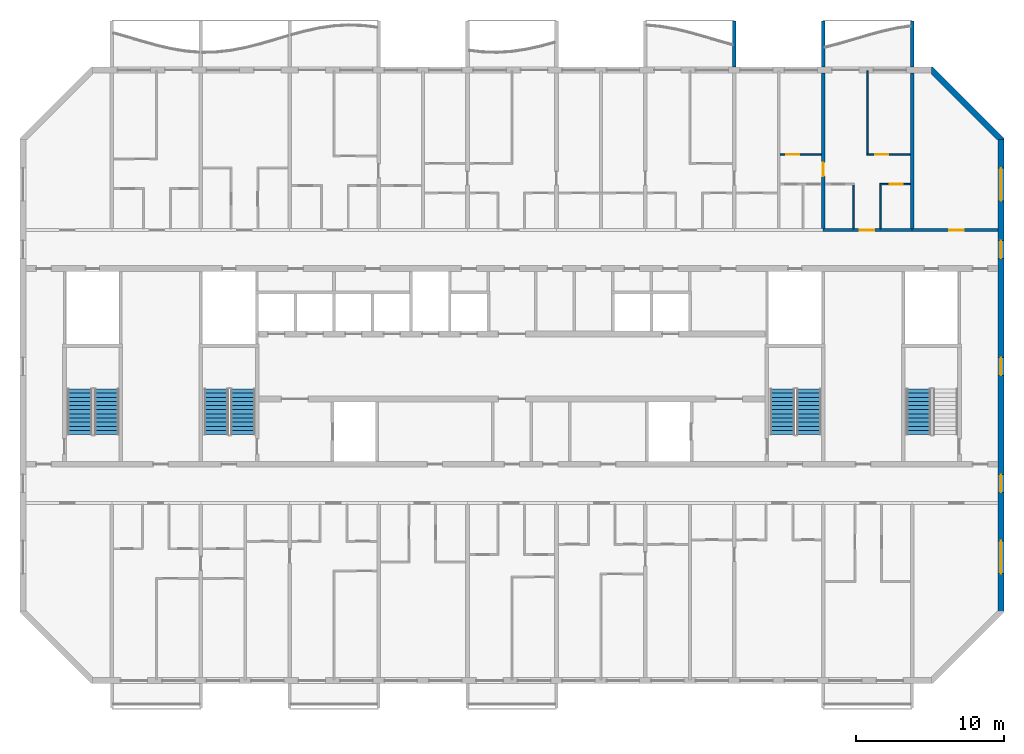
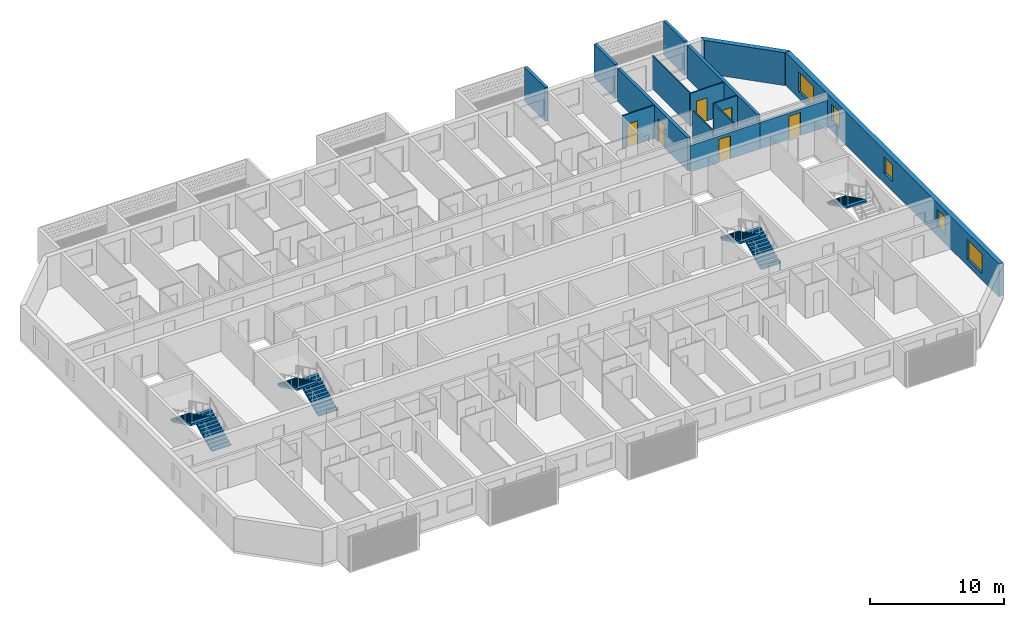
# One storey, part 11 of 27: 15 walls, 7 stair flights, 6 doors, 5 windows, 11 openings, 4 elements without a shape of their own.
"""IFC4 building model written with IfcOpenShell, lengths in metres."""

import ifcopenshell
import ifcopenshell.guid

model = None  # the IFC model being written
_history = None  # IfcOwnerHistory: only IFC2X3 demands one
_inside = {}  # id of a spatial element -> (the spatial element, [elements in it])
_under = {}  # id of a project, library or spatial element -> (it, [spatial elements below it])
_declared = {}  # id of a project -> (the project, [libraries it declares])
_typed = {}  # id of a type object -> (the type object, [elements of that type])
_made_of = {}  # id of a material, layer set ... -> (it, [elements and type objects made of it])


def new_model(schema):
    """Start an empty IFC model of exactly this schema.

    Asked for "IFC4X3", IfcOpenShell would pick the latest addendum, in which some entities
    have other attributes; the version numbers below select the first issue.
    IFC2X3 requires an IfcOwnerHistory on every rooted entity: one is made here for all.
    """
    global model, _history
    if schema == "IFC4X3":
        model = ifcopenshell.file(schema_version=(4, 3, 0, 0))
    else:
        model = ifcopenshell.file(schema=schema)
    _inside.clear()
    _under.clear()
    _declared.clear()
    _typed.clear()
    _made_of.clear()
    _history = None
    if model.schema == "IFC2X3":
        org = make("IfcOrganization", Name="unknown")
        user = make(
            "IfcPersonAndOrganization",
            ThePerson=make("IfcPerson", FamilyName="unknown"),
            TheOrganization=org,
        )
        app = make(
            "IfcApplication",
            ApplicationDeveloper=org,
            Version="unknown",
            ApplicationFullName="unknown",
            ApplicationIdentifier="unknown",
        )
        _history = make(
            "IfcOwnerHistory",
            OwningUser=user,
            OwningApplication=app,
            ChangeAction="ADDED",
            CreationDate=0,
        )
    return model


def make(cls, **values):
    """One entity of the class cls with the attributes given. An attribute that is None is left unset."""
    return model.create_entity(
        cls, **{name: value for name, value in values.items() if value is not None}
    )


def rooted(cls, **values):
    """An entity with a GlobalId (a new one), such as an element, a storey or a relation."""
    return make(cls, GlobalId=ifcopenshell.guid.new(), OwnerHistory=_history, **values)


def si_unit(unit_type, name, prefix=None):
    """IfcSIUnit, for example si_unit("LENGTHUNIT", "METRE", prefix="MILLI")."""
    return make("IfcSIUnit", UnitType=unit_type, Prefix=prefix, Name=name)


def assignment(units):
    """IfcUnitAssignment: the units of a project."""
    return None if units is None else make("IfcUnitAssignment", Units=units)


def point(xyz):
    """IfcCartesianPoint."""
    return None if xyz is None else make("IfcCartesianPoint", Coordinates=xyz)


def direction(xyz):
    """IfcDirection."""
    return None if xyz is None else make("IfcDirection", DirectionRatios=xyz)


def frame(location, z_axis=None, x_axis=None):
    """IfcAxis2Placement3D, a coordinate frame: its origin and axes. An axis left out is left unset."""
    return make(
        "IfcAxis2Placement3D",
        Location=point(location),
        Axis=direction(z_axis),
        RefDirection=direction(x_axis),
    )


def frame_2d(location, x_axis=None):
    """IfcAxis2Placement2D, a coordinate frame in the plane: its origin and x axis."""
    return make(
        "IfcAxis2Placement2D", Location=point(location), RefDirection=direction(x_axis)
    )


def origin():
    """The frame at (0, 0, 0) with its axes left unset."""
    return frame((0.0, 0.0, 0.0))


def place(relative_to, where):
    """IfcLocalPlacement: puts the frame where relative to a parent placement (None: the world)."""
    return make(
        "IfcLocalPlacement", PlacementRelTo=relative_to, RelativePlacement=where
    )


def context(
    kind, dimensions, precision=None, world=None, true_north=None, identifier=None
):
    """IfcGeometricRepresentationContext, for example the 3D "Model" context."""
    return make(
        "IfcGeometricRepresentationContext",
        ContextIdentifier=identifier,
        ContextType=kind,
        CoordinateSpaceDimension=dimensions,
        Precision=precision,
        WorldCoordinateSystem=world,
        TrueNorth=true_north,
    )


def subcontext(parent, identifier, kind, view, scale=None):
    """IfcGeometricRepresentationSubContext, for example "Body" below "Model"."""
    return make(
        "IfcGeometricRepresentationSubContext",
        ContextIdentifier=identifier,
        ContextType=kind,
        ParentContext=parent,
        TargetScale=scale,
        TargetView=view,
    )


def project(units=None, contexts=None):
    """IfcProject with its units and contexts."""
    return rooted(
        "IfcProject",
        Name="project",
        RepresentationContexts=contexts,
        UnitsInContext=assignment(units),
    )


def spatial(cls, under=None, at=None, **own):
    """A site, building, storey or space (cls), placed at a placement, below another one or the project."""
    s = rooted(cls, ObjectPlacement=at, **own)
    if under is not None:
        _under.setdefault(under.id(), (under, []))[1].append(s)
    return s


def polyline(points):
    """IfcPolyline through the points."""
    return make("IfcPolyline", Points=[point(p) for p in points])


def profile(cls, at=None, kind="AREA", **sizes):
    """A parametric profile (cls). Its sizes go by their IFC names, for example OverallWidth=200.0."""
    return make(cls, ProfileType=kind, Position=at, **sizes)


def rectangle(**sizes):
    """IfcRectangleProfileDef."""
    return profile("IfcRectangleProfileDef", **sizes)


def outline(outer, holes=None, kind="AREA"):
    """IfcArbitraryClosedProfileDef: a profile drawn as a closed curve; with holes, ...WithVoids."""
    if holes is None:
        return make("IfcArbitraryClosedProfileDef", ProfileType=kind, OuterCurve=outer)
    return make(
        "IfcArbitraryProfileDefWithVoids",
        ProfileType=kind,
        OuterCurve=outer,
        InnerCurves=holes,
    )


def extrude(swept, where, along, depth):
    """IfcExtrudedAreaSolid: the profile swept, set in the frame where, extruded along a direction by depth."""
    return make(
        "IfcExtrudedAreaSolid",
        SweptArea=swept,
        Position=where,
        ExtrudedDirection=direction(along),
        Depth=depth,
    )


def shape(context_of_items, identifier, shape_type, items):
    """IfcShapeRepresentation: the items that make up one representation, for example the "Body"."""
    return make(
        "IfcShapeRepresentation",
        ContextOfItems=context_of_items,
        RepresentationIdentifier=identifier,
        RepresentationType=shape_type,
        Items=items,
    )


def source(mapping_origin, context_of_items, identifier, shape_type, items):
    """IfcRepresentationMap: a shape defined once, which mapped items show again and again."""
    return make(
        "IfcRepresentationMap",
        MappingOrigin=mapping_origin,
        MappedRepresentation=shape(context_of_items, identifier, shape_type, items),
    )


def transform(
    local_origin,
    x_axis=None,
    y_axis=None,
    z_axis=None,
    scale=None,
    scale2=None,
    scale3=None,
    uniform=True,
):
    """IfcCartesianTransformationOperator3D, or its non-uniform kind. x_axis, y_axis, z_axis: its Axis1, 2, 3."""
    if uniform:
        return make(
            "IfcCartesianTransformationOperator3D",
            Axis1=direction(x_axis),
            Axis2=direction(y_axis),
            LocalOrigin=point(local_origin),
            Scale=scale,
            Axis3=direction(z_axis),
        )
    return make(
        "IfcCartesianTransformationOperator3DnonUniform",
        Axis1=direction(x_axis),
        Axis2=direction(y_axis),
        LocalOrigin=point(local_origin),
        Scale=scale,
        Axis3=direction(z_axis),
        Scale2=scale2,
        Scale3=scale3,
    )


def mapped(mapping_source, mapping_target):
    """IfcMappedItem: shows the shape of a source again, moved by a transform."""
    return make(
        "IfcMappedItem", MappingSource=mapping_source, MappingTarget=mapping_target
    )


def material(Name=None, Category=None):
    """IfcMaterial."""
    return make("IfcMaterial", Name=Name, Category=Category)


def layer(
    of_material, thickness, ventilated=None, Name=None, Category=None, Priority=None
):
    """IfcMaterialLayer: one layer of a wall or slab, of a material (None: an air gap)."""
    return make(
        "IfcMaterialLayer",
        Material=of_material,
        LayerThickness=thickness,
        IsVentilated=ventilated,
        Name=Name,
        Category=Category,
        Priority=Priority,
    )


def layer_set(layers, Name=None):
    """IfcMaterialLayerSet."""
    return make("IfcMaterialLayerSet", MaterialLayers=layers, LayerSetName=Name)


def made_of(thing, what):
    """Note that an element or type object is made of a material, layer set ...; save() writes the relation."""
    if what is not None:
        _made_of.setdefault(what.id(), (what, []))[1].append(thing)
    return thing


def type_object(cls, material=None, **own):
    """A type object (cls), such as IfcWallType, which elements share."""
    return made_of(rooted(cls, **own), material)


def element(
    cls,
    number,
    at=None,
    inside=None,
    cuts=None,
    type_object=None,
    material=None,
    context=None,
    identifier="Body",
    shape_type=None,
    held_by="IfcProductDefinitionShape",
    body=None,
    shapes=None,
    **own,
):
    """One element of the class cls, such as IfcWall. Its Tag is "e" and its number.

    at: its placement. inside: the storey or other place that contains it. cuts: it is an
    opening in that element (IfcRelVoidsElement). A single representation is given by context,
    identifier, shape_type and body (its items); several are given by shapes. held_by: the class
    of the entity that holds the representations. save() writes the other relations.
    """
    e = rooted(cls, Tag="e%d" % number, ObjectPlacement=at, **own)
    if body is not None:
        shapes = [shape(context, identifier, shape_type, body)]
    if shapes is not None:
        e.Representation = make(held_by, Representations=shapes)
    if inside is not None:
        _inside.setdefault(inside.id(), (inside, []))[1].append(e)
    if cuts is not None:
        rooted(
            "IfcRelVoidsElement", RelatingBuildingElement=cuts, RelatedOpeningElement=e
        )
    if type_object is not None:
        _typed.setdefault(type_object.id(), (type_object, []))[1].append(e)
    return made_of(e, material)


def fill(opening, filler):
    """IfcRelFillsElement: the door or window that sits in an opening."""
    return rooted(
        "IfcRelFillsElement",
        RelatingOpeningElement=opening,
        RelatedBuildingElement=filler,
    )


def aggregate(whole, parts):
    """IfcRelAggregates: a whole, such as a stair, and the parts it consists of."""
    return rooted("IfcRelAggregates", RelatingObject=whole, RelatedObjects=parts)


def save(model, path):
    """Write the relations noted so far, then the file.

    IfcRelAggregates (storeys below a building ...), IfcRelContainedInSpatialStructure (elements
    in a storey), IfcRelDefinesByType, IfcRelAssociatesMaterial and IfcRelDeclares: one each for
    every whole, place, type object, material and project.
    """
    for whole, parts in _under.values():
        aggregate(whole, parts)
    for where, things in _inside.values():
        rooted(
            "IfcRelContainedInSpatialStructure",
            RelatedElements=things,
            RelatingStructure=where,
        )
    for kind, things in _typed.values():
        rooted("IfcRelDefinesByType", RelatedObjects=things, RelatingType=kind)
    for what, things in _made_of.values():
        rooted("IfcRelAssociatesMaterial", RelatedObjects=things, RelatingMaterial=what)
    for by, libraries in _declared.values():
        rooted("IfcRelDeclares", RelatingContext=by, RelatedDefinitions=libraries)
    model.write(path)


model = new_model("IFC4")

# Units and contexts
model_context = context("Model", 3, precision=1e-05, world=origin(), true_north=direction((0.0, 1.0)))
body_context = subcontext(model_context, "Body", "Model", "MODEL_VIEW")
ifc_project = project(units=[si_unit("LENGTHUNIT", "METRE"), si_unit("AREAUNIT", "SQUARE_METRE"), si_unit("VOLUMEUNIT", "CUBIC_METRE"), si_unit("PLANEANGLEUNIT", "RADIAN"), si_unit("MASSUNIT", "GRAM", prefix="KILO")], contexts=[model_context])

# Site, building, storey
site_placement = place(None, origin())
site = spatial("IfcSite", under=ifc_project, at=site_placement, CompositionType="ELEMENT")
building_placement = place(site_placement, origin())
building = spatial("IfcBuilding", under=site, at=building_placement, Name="Poui Terraces", CompositionType="ELEMENT")
storey_placement = place(building_placement, frame((0.0, 0.0, 208.199951171875)))
storey = spatial("IfcBuildingStorey", under=building, at=storey_placement, Name="L58", CompositionType="ELEMENT", Elevation=208.199951171875)

# Wall, opening, door
ifc_material_1 = material(Name="Concrete 50 MPa", Category="concrete")
ifc_layer_1 = layer(ifc_material_1, 0.199951171875)
ifc_layer_set_1 = layer_set([ifc_layer_1], Name="Concrete 50 MPa")
wall_type_1 = type_object("IfcWallType", Name="CORRIDOR WALL 200 50MPa", PredefinedType="SHEAR", material=ifc_layer_set_1)
wall_1_placement = place(storey_placement, frame((72.0, 30.39990234375, 0.0), z_axis=(0.0, 0.0, 1.0), x_axis=(1.0, 0.0, 0.0)))
wall_1 = element("IfcWall", 1, at=wall_1_placement, inside=storey, type_object=wall_type_1, Name="CORRIDOR WALL LINE E BAY 10", PredefinedType="SHEAR", context=body_context, shape_type="SweptSolid", body=[
    extrude(rectangle(XDim=6.0, YDim=0.199951171875, at=frame_2d((3.0, 0.0))), origin(), (0.0, 0.0, 1.0), 2.400146484375),
])
opening_1_placement = place(wall_1_placement, frame((2.449951171875, 0.0, 0.0)))
opening_1 = element("IfcOpeningElement", 2, at=opening_1_placement, cuts=wall_1, Name="Opening FD30S", PredefinedType="OPENING", context=body_context, shape_type="SweptSolid", body=[
    extrude(rectangle(XDim=1.0, YDim=2.10009765625, at=frame_2d((0.5, 1.050048828125))), frame((0.0, 0.10986328125, 0.0), z_axis=(0.0, -1.0, 0.0), x_axis=(1.0, 0.0, 0.0)), (0.0, 0.0, 1.0), 0.219970703125),
])
ifc_material_2 = material(Name="Steel fire door", Category="steel")
door_type_1 = type_object("IfcDoorType", Name="FLAT ENTRANCE DOOR 1000 X 2100", OperationType="NOTDEFINED", PredefinedType="DOOR", material=ifc_material_2)
door_1_placement = place(opening_1_placement, origin())
door_1 = element("IfcDoor", 3, at=door_1_placement, inside=storey, type_object=door_type_1, Name="FLAT ENTRANCE DOOR 062", OperationType="SINGLE_SWING_LEFT", OverallHeight=2.10009765625, OverallWidth=1.0, PredefinedType="DOOR", context=body_context, shape_type="SweptSolid", body=[
    extrude(rectangle(XDim=1.0, YDim=2.10009765625, at=frame_2d((0.5, 1.050048828125))), frame((0.0, 0.02490234375, 0.0), z_axis=(0.0, -1.0, 0.0), x_axis=(1.0, 0.0, 0.0)), (0.0, 0.0, 1.0), 0.050048828125),
])
fill(opening_1, door_1)

wall_2_placement = place(storey_placement, frame((78.0, 30.39990234375, 0.0), z_axis=(0.0, 0.0, 1.0), x_axis=(1.0, 0.0, 0.0)))
wall_2 = element("IfcWall", 4, at=wall_2_placement, inside=storey, type_object=wall_type_1, Name="CORRIDOR WALL LINE E BAY 11", PredefinedType="SHEAR", context=body_context, shape_type="SweptSolid", body=[
    extrude(rectangle(XDim=5.800048828125, YDim=0.199951171875, at=frame_2d((2.89990234375, 0.0))), origin(), (0.0, 0.0, 1.0), 2.400146484375),
])
opening_2_placement = place(wall_2_placement, frame((2.5, 0.0, 0.0)))
opening_2 = element("IfcOpeningElement", 5, at=opening_2_placement, cuts=wall_2, Name="Opening D100", PredefinedType="OPENING", context=body_context, shape_type="SweptSolid", body=[
    extrude(rectangle(XDim=1.0, YDim=2.10009765625, at=frame_2d((0.5, 1.050048828125))), frame((0.0, 0.10986328125, 0.0), z_axis=(0.0, -1.0, 0.0), x_axis=(1.0, 0.0, 0.0)), (0.0, 0.0, 1.0), 0.219970703125),
])
ifc_material_3 = material(Name="Solid core timber door", Category="wood")
door_type_2 = type_object("IfcDoorType", Name="ACCESSIBLE INTERNAL DOOR 1000 X 2100", OperationType="NOTDEFINED", PredefinedType="DOOR", material=ifc_material_3)
door_2_placement = place(opening_2_placement, origin())
door_2 = element("IfcDoor", 6, at=door_2_placement, inside=storey, type_object=door_type_2, Name="ACCESSIBLE INTERNAL DOOR 065", OperationType="SINGLE_SWING_LEFT", OverallHeight=2.10009765625, OverallWidth=1.0, PredefinedType="DOOR", context=body_context, shape_type="SweptSolid", body=[
    extrude(rectangle(XDim=1.0, YDim=2.10009765625, at=frame_2d((0.5, 1.050048828125))), frame((0.0, 0.02490234375, 0.0), z_axis=(0.0, -1.0, 0.0), x_axis=(1.0, 0.0, 0.0)), (0.0, 0.0, 1.0), 0.050048828125),
])
fill(opening_2, door_2)

ifc_layer_2 = layer(ifc_material_1, 0.25)
ifc_layer_set_2 = layer_set([ifc_layer_2], Name="Concrete 50 MPa")
wall_type_2 = type_object("IfcWallType", Name="CROSS WALL 250 50MPa", PredefinedType="SHEAR", material=ifc_layer_set_2)
wall_3_placement = place(storey_placement, frame((72.0, 30.5, 0.0), z_axis=(0.0, 0.0, 1.0), x_axis=(0.0, 1.0, 0.0)))
wall_3 = element("IfcWall", 7, at=wall_3_placement, inside=storey, type_object=wall_type_2, Name="CROSS WALL LINE 13 NORTH", PredefinedType="SHEAR", context=body_context, shape_type="SweptSolid", body=[
    extrude(rectangle(XDim=10.5, YDim=0.25, at=frame_2d((5.25, 0.0))), origin(), (0.0, 0.0, 1.0), 3.0),
])
opening_3_placement = place(wall_3_placement, frame((3.550048828125, 0.0, 0.0)))
opening_3 = element("IfcOpeningElement", 8, at=opening_3_placement, cuts=wall_3, Name="Opening D90", PredefinedType="OPENING", context=body_context, shape_type="SweptSolid", body=[
    extrude(rectangle(XDim=0.89990234375, YDim=2.10009765625, at=frame_2d((0.449951171875, 1.050048828125))), frame((0.0, 0.135009765625, 0.0), z_axis=(0.0, -1.0, 0.0), x_axis=(1.0, 0.0, 0.0)), (0.0, 0.0, 1.0), 0.27001953125),
])
door_type_3 = type_object("IfcDoorType", Name="INTERNAL DOOR 900 X 2100", OperationType="NOTDEFINED", PredefinedType="DOOR", material=ifc_material_3)
door_3_placement = place(opening_3_placement, frame((0.89990234375, 0.0, 0.0), z_axis=(0.0, 0.0, 1.0), x_axis=(-1.0, 0.0, 0.0)))
door_3 = element("IfcDoor", 9, at=door_3_placement, inside=storey, type_object=door_type_3, Name="INTERNAL DOOR 060", OperationType="SINGLE_SWING_RIGHT", OverallHeight=2.10009765625, OverallWidth=0.89990234375, PredefinedType="DOOR", context=body_context, shape_type="SweptSolid", body=[
    extrude(rectangle(XDim=0.89990234375, YDim=2.10009765625, at=frame_2d((0.449951171875, 1.050048828125))), frame((0.0, 0.02490234375, 0.0), z_axis=(0.0, -1.0, 0.0), x_axis=(1.0, 0.0, 0.0)), (0.0, 0.0, 1.0), 0.050048828125),
])
fill(opening_3, door_3)

# Wall
wall_4_placement = place(storey_placement, frame((78.0, 30.5, 0.0), z_axis=(0.0, 0.0, 1.0), x_axis=(0.0, 1.0, 0.0)))
element("IfcWall", 10, at=wall_4_placement, inside=storey, type_object=wall_type_2, Name="CROSS WALL LINE 14 NORTH", PredefinedType="SHEAR", context=body_context, shape_type="SweptSolid", body=[
    extrude(rectangle(XDim=10.5, YDim=0.25, at=frame_2d((5.25, 0.0))), origin(), (0.0, 0.0, 1.0), 3.0),
])

# Wall, openings, windows
ifc_layer_3 = layer(ifc_material_1, 0.39990234375)
ifc_layer_set_3 = layer_set([ifc_layer_3], Name="Concrete 50 MPa")
wall_type_3 = type_object("IfcWallType", Name="END WALL 400 50MPa", PredefinedType="SHEAR", material=ifc_layer_set_3)
wall_5_placement = place(storey_placement, frame((84.0, 4.682861328125, 0.0), z_axis=(0.0, 0.0, 1.0), x_axis=(0.0, 1.0, 0.0)))
wall_5 = element("IfcWall", 11, at=wall_5_placement, inside=storey, type_object=wall_type_3, Name="END WALL EAST", PredefinedType="SHEAR", context=body_context, shape_type="SweptSolid", body=[
    extrude(rectangle(XDim=31.834228515625, YDim=0.39990234375, at=frame_2d((15.9169921875, 0.0))), origin(), (0.0, 0.0, 1.0), 3.0),
])
opening_4_placement = place(wall_5_placement, frame((23.817138671875, 0.0, 0.89990234375)))
opening_4 = element("IfcOpeningElement", 12, at=opening_4_placement, cuts=wall_5, Name="Opening W2", PredefinedType="OPENING", context=body_context, shape_type="SweptSolid", body=[
    extrude(rectangle(XDim=1.199951171875, YDim=1.5, at=frame_2d((0.60009765625, 0.75))), frame((0.0, 0.2099609375, 0.0), z_axis=(0.0, -1.0, 0.0), x_axis=(1.0, 0.0, 0.0)), (0.0, 0.0, 1.0), 0.419921875),
])
opening_5_placement = place(wall_5_placement, frame((8.01708984375, 0.0, 0.89990234375)))
opening_5 = element("IfcOpeningElement", 13, at=opening_5_placement, cuts=wall_5, Name="Opening W2", PredefinedType="OPENING", context=body_context, shape_type="SweptSolid", body=[
    extrude(rectangle(XDim=1.199951171875, YDim=1.5, at=frame_2d((0.60009765625, 0.75))), frame((0.0, 0.2099609375, 0.0), z_axis=(0.0, -1.0, 0.0), x_axis=(1.0, 0.0, 0.0)), (0.0, 0.0, 1.0), 0.419921875),
])
opening_6_placement = place(wall_5_placement, frame((27.693603515625, 0.0, 0.60009765625)))
opening_6 = element("IfcOpeningElement", 14, at=opening_6_placement, cuts=wall_5, Name="Opening W3", PredefinedType="OPENING", context=body_context, shape_type="SweptSolid", body=[
    extrude(rectangle(XDim=2.199951171875, YDim=1.800048828125, at=frame_2d((1.10009765625, 0.89990234375))), frame((0.0, 0.2099609375, 0.0), z_axis=(0.0, -1.0, 0.0), x_axis=(1.0, 0.0, 0.0)), (0.0, 0.0, 1.0), 0.419921875),
])
opening_7_placement = place(wall_5_placement, frame((2.541015625, 0.0, 0.60009765625)))
opening_7 = element("IfcOpeningElement", 15, at=opening_7_placement, cuts=wall_5, Name="Opening W3", PredefinedType="OPENING", context=body_context, shape_type="SweptSolid", body=[
    extrude(rectangle(XDim=2.199951171875, YDim=1.800048828125, at=frame_2d((1.10009765625, 0.89990234375))), frame((0.0, 0.2099609375, 0.0), z_axis=(0.0, -1.0, 0.0), x_axis=(1.0, 0.0, 0.0)), (0.0, 0.0, 1.0), 0.419921875),
])
opening_8_placement = place(wall_5_placement, frame((15.917236328125, 0.0, 0.89990234375)))
opening_8 = element("IfcOpeningElement", 16, at=opening_8_placement, cuts=wall_5, Name="Opening W2", PredefinedType="OPENING", context=body_context, shape_type="SweptSolid", body=[
    extrude(rectangle(XDim=1.199951171875, YDim=1.5, at=frame_2d((0.60009765625, 0.75))), frame((0.0, 0.2099609375, 0.0), z_axis=(0.0, -1.0, 0.0), x_axis=(1.0, 0.0, 0.0)), (0.0, 0.0, 1.0), 0.419921875),
])
ifc_material_4 = material(Name="Clear glass in aluminium frame", Category="aluminium")
window_type_1 = type_object("IfcWindowType", Name="WINDOW 1200X1500", PartitioningType="SINGLE_PANEL", PredefinedType="WINDOW", material=ifc_material_4)
window_1_placement = place(opening_4_placement, origin())
window_1 = element("IfcWindow", 17, at=window_1_placement, inside=storey, type_object=window_type_1, Name="W2 WINDOW", OverallHeight=1.5, OverallWidth=1.199951171875, PartitioningType="SINGLE_PANEL", PredefinedType="WINDOW", context=body_context, shape_type="SweptSolid", body=[
    extrude(rectangle(XDim=1.199951171875, YDim=1.5, at=frame_2d((0.60009765625, 0.75))), frame((0.0, 0.030029296875, 0.0), z_axis=(0.0, -1.0, 0.0), x_axis=(1.0, 0.0, 0.0)), (0.0, 0.0, 1.0), 0.06005859375),
])
fill(opening_4, window_1)
window_2_placement = place(opening_5_placement, origin())
window_2 = element("IfcWindow", 18, at=window_2_placement, inside=storey, type_object=window_type_1, Name="W2 WINDOW", OverallHeight=1.5, OverallWidth=1.199951171875, PartitioningType="SINGLE_PANEL", PredefinedType="WINDOW", context=body_context, shape_type="SweptSolid", body=[
    extrude(rectangle(XDim=1.199951171875, YDim=1.5, at=frame_2d((0.60009765625, 0.75))), frame((0.0, 0.030029296875, 0.0), z_axis=(0.0, -1.0, 0.0), x_axis=(1.0, 0.0, 0.0)), (0.0, 0.0, 1.0), 0.06005859375),
])
fill(opening_5, window_2)
window_3_placement = place(opening_8_placement, origin())
window_3 = element("IfcWindow", 19, at=window_3_placement, inside=storey, type_object=window_type_1, Name="W2 WINDOW", OverallHeight=1.5, OverallWidth=1.199951171875, PartitioningType="SINGLE_PANEL", PredefinedType="WINDOW", context=body_context, shape_type="SweptSolid", body=[
    extrude(rectangle(XDim=1.199951171875, YDim=1.5, at=frame_2d((0.60009765625, 0.75))), frame((0.0, 0.030029296875, 0.0), z_axis=(0.0, -1.0, 0.0), x_axis=(1.0, 0.0, 0.0)), (0.0, 0.0, 1.0), 0.06005859375),
])
fill(opening_8, window_3)
window_type_2 = type_object("IfcWindowType", Name="WINDOW 2200X1800", PartitioningType="DOUBLE_PANEL_HORIZONTAL", PredefinedType="WINDOW", material=ifc_material_4)
window_4_placement = place(opening_6_placement, origin())
window_4 = element("IfcWindow", 20, at=window_4_placement, inside=storey, type_object=window_type_2, Name="W3 WINDOW", OverallHeight=1.800048828125, OverallWidth=2.199951171875, PartitioningType="DOUBLE_PANEL_HORIZONTAL", PredefinedType="WINDOW", context=body_context, shape_type="SweptSolid", body=[
    extrude(rectangle(XDim=2.199951171875, YDim=1.800048828125, at=frame_2d((1.10009765625, 0.89990234375))), frame((0.0, 0.030029296875, 0.0), z_axis=(0.0, -1.0, 0.0), x_axis=(1.0, 0.0, 0.0)), (0.0, 0.0, 1.0), 0.06005859375),
])
fill(opening_6, window_4)
window_5_placement = place(opening_7_placement, origin())
window_5 = element("IfcWindow", 21, at=window_5_placement, inside=storey, type_object=window_type_2, Name="W3 WINDOW", OverallHeight=1.800048828125, OverallWidth=2.199951171875, PartitioningType="DOUBLE_PANEL_HORIZONTAL", PredefinedType="WINDOW", context=body_context, shape_type="SweptSolid", body=[
    extrude(rectangle(XDim=2.199951171875, YDim=1.800048828125, at=frame_2d((1.10009765625, 0.89990234375))), frame((0.0, 0.030029296875, 0.0), z_axis=(0.0, -1.0, 0.0), x_axis=(1.0, 0.0, 0.0)), (0.0, 0.0, 1.0), 0.06005859375),
])
fill(opening_7, window_5)

# Wall, opening, door
ifc_material_5 = material(Name="Plasterboard partition")
ifc_layer_4 = layer(ifc_material_5, 0.10009765625)
ifc_layer_set_4 = layer_set([ifc_layer_4], Name="Plasterboard partition")
wall_type_4 = type_object("IfcWallType", Name="FLAT PARTITION 100", PredefinedType="PARTITIONING", material=ifc_layer_set_4)
wall_6_placement = place(storey_placement, frame((75.800048828125, 33.5, 0.0), z_axis=(0.0, 0.0, 1.0), x_axis=(1.0, 0.0, 0.0)))
wall_6 = element("IfcWall", 22, at=wall_6_placement, inside=storey, type_object=wall_type_4, Name="FLAT PARTITION 100", PredefinedType="PARTITIONING", context=body_context, shape_type="SweptSolid", body=[
    extrude(rectangle(XDim=2.06494140625, YDim=0.10009765625, at=frame_2d((1.032470703125, 0.0))), origin(), (0.0, 0.0, 1.0), 3.0),
])
opening_9_placement = place(wall_6_placement, frame((0.675048828125, 0.0, 0.0)))
opening_9 = element("IfcOpeningElement", 23, at=opening_9_placement, cuts=wall_6, Name="Opening D90", PredefinedType="OPENING", context=body_context, shape_type="SweptSolid", body=[
    extrude(rectangle(XDim=0.89990234375, YDim=2.10009765625, at=frame_2d((0.449951171875, 1.050048828125))), frame((0.0, 0.06005859375, 0.0), z_axis=(0.0, -1.0, 0.0), x_axis=(1.0, 0.0, 0.0)), (0.0, 0.0, 1.0), 0.1201171875),
])
door_4_placement = place(opening_9_placement, frame((0.89990234375, 0.0, 0.0), z_axis=(0.0, 0.0, 1.0), x_axis=(-1.0, 0.0, 0.0)))
door_4 = element("IfcDoor", 24, at=door_4_placement, inside=storey, type_object=door_type_3, Name="INTERNAL DOOR 064", OperationType="SINGLE_SWING_RIGHT", OverallHeight=2.10009765625, OverallWidth=0.89990234375, PredefinedType="DOOR", context=body_context, shape_type="SweptSolid", body=[
    extrude(rectangle(XDim=0.89990234375, YDim=2.10009765625, at=frame_2d((0.449951171875, 1.050048828125))), frame((0.0, 0.02490234375, 0.0), z_axis=(0.0, -1.0, 0.0), x_axis=(1.0, 0.0, 0.0)), (0.0, 0.0, 1.0), 0.050048828125),
])
fill(opening_9, door_4)

wall_7_placement = place(storey_placement, frame((69.10009765625, 35.5, 0.0), z_axis=(0.0, 0.0, 1.0), x_axis=(1.0, 0.0, 0.0)))
wall_7 = element("IfcWall", 25, at=wall_7_placement, inside=storey, type_object=wall_type_4, Name="FLAT PARTITION 100", PredefinedType="PARTITIONING", context=body_context, shape_type="SweptSolid", body=[
    extrude(rectangle(XDim=2.764892578125, YDim=0.10009765625, at=frame_2d((1.38232421875, 0.0))), origin(), (0.0, 0.0, 1.0), 3.0),
])
opening_10_placement = place(wall_7_placement, frame((0.39990234375, 0.0, 0.0)))
opening_10 = element("IfcOpeningElement", 26, at=opening_10_placement, cuts=wall_7, Name="Opening D90", PredefinedType="OPENING", context=body_context, shape_type="SweptSolid", body=[
    extrude(rectangle(XDim=0.89990234375, YDim=2.10009765625, at=frame_2d((0.449951171875, 1.050048828125))), frame((0.0, 0.06005859375, 0.0), z_axis=(0.0, -1.0, 0.0), x_axis=(1.0, 0.0, 0.0)), (0.0, 0.0, 1.0), 0.1201171875),
])
door_5_placement = place(opening_10_placement, origin())
door_5 = element("IfcDoor", 27, at=door_5_placement, inside=storey, type_object=door_type_3, Name="INTERNAL DOOR 058", OperationType="SINGLE_SWING_LEFT", OverallHeight=2.10009765625, OverallWidth=0.89990234375, PredefinedType="DOOR", context=body_context, shape_type="SweptSolid", body=[
    extrude(rectangle(XDim=0.89990234375, YDim=2.10009765625, at=frame_2d((0.449951171875, 1.050048828125))), frame((0.0, 0.02490234375, 0.0), z_axis=(0.0, -1.0, 0.0), x_axis=(1.0, 0.0, 0.0)), (0.0, 0.0, 1.0), 0.050048828125),
])
fill(opening_10, door_5)

wall_8_placement = place(storey_placement, frame((74.949951171875, 35.5, 0.0), z_axis=(0.0, 0.0, 1.0), x_axis=(1.0, 0.0, 0.0)))
wall_8 = element("IfcWall", 28, at=wall_8_placement, inside=storey, type_object=wall_type_4, Name="FLAT PARTITION 100", PredefinedType="PARTITIONING", context=body_context, shape_type="SweptSolid", body=[
    extrude(rectangle(XDim=2.9150390625, YDim=0.10009765625, at=frame_2d((1.45751953125, 0.0))), origin(), (0.0, 0.0, 1.0), 3.0),
])
opening_11_placement = place(wall_8_placement, frame((0.550048828125, 0.0, 0.0)))
opening_11 = element("IfcOpeningElement", 29, at=opening_11_placement, cuts=wall_8, Name="Opening D90", PredefinedType="OPENING", context=body_context, shape_type="SweptSolid", body=[
    extrude(rectangle(XDim=0.89990234375, YDim=2.10009765625, at=frame_2d((0.449951171875, 1.050048828125))), frame((0.0, 0.06005859375, 0.0), z_axis=(0.0, -1.0, 0.0), x_axis=(1.0, 0.0, 0.0)), (0.0, 0.0, 1.0), 0.1201171875),
])
door_6_placement = place(opening_11_placement, frame((0.89990234375, 0.0, 0.0), z_axis=(0.0, 0.0, 1.0), x_axis=(-1.0, 0.0, 0.0)))
door_6 = element("IfcDoor", 30, at=door_6_placement, inside=storey, type_object=door_type_3, Name="INTERNAL DOOR 063", OperationType="SINGLE_SWING_LEFT", OverallHeight=2.10009765625, OverallWidth=0.89990234375, PredefinedType="DOOR", context=body_context, shape_type="SweptSolid", body=[
    extrude(rectangle(XDim=0.89990234375, YDim=2.10009765625, at=frame_2d((0.449951171875, 1.050048828125))), frame((0.0, 0.02490234375, 0.0), z_axis=(0.0, -1.0, 0.0), x_axis=(1.0, 0.0, 0.0)), (0.0, 0.0, 1.0), 0.050048828125),
])
fill(opening_11, door_6)

# Walls
wall_9_placement = place(storey_placement, frame((74.050048828125, 30.510009765625, 0.0), z_axis=(0.0, 0.0, 1.0), x_axis=(0.0, 1.0, 0.0)))
element("IfcWall", 31, at=wall_9_placement, inside=storey, type_object=wall_type_4, Name="FLAT PARTITION 100", PredefinedType="PARTITIONING", context=body_context, shape_type="SweptSolid", body=[
    extrude(rectangle(XDim=2.93994140625, YDim=0.10009765625, at=frame_2d((1.469970703125, 0.0))), origin(), (0.0, 0.0, 1.0), 3.0),
])
wall_10_placement = place(storey_placement, frame((75.0, 35.550048828125, 0.0), z_axis=(0.0, 0.0, 1.0), x_axis=(0.0, 1.0, 0.0)))
element("IfcWall", 32, at=wall_10_placement, inside=storey, type_object=wall_type_4, Name="FLAT PARTITION 100", PredefinedType="PARTITIONING", context=body_context, shape_type="SweptSolid", body=[
    extrude(rectangle(XDim=5.58984375, YDim=0.10009765625, at=frame_2d((2.794921875, 0.0))), origin(), (0.0, 0.0, 1.0), 3.0),
])
wall_11_placement = place(storey_placement, frame((75.85009765625, 30.510009765625, 0.0), z_axis=(0.0, 0.0, 1.0), x_axis=(0.0, 1.0, 0.0)))
element("IfcWall", 33, at=wall_11_placement, inside=storey, type_object=wall_type_4, Name="FLAT PARTITION 100", PredefinedType="PARTITIONING", context=body_context, shape_type="SweptSolid", body=[
    extrude(rectangle(XDim=2.93994140625, YDim=0.10009765625, at=frame_2d((1.469970703125, 0.0))), origin(), (0.0, 0.0, 1.0), 3.0),
])
ifc_material_6 = material(Name="Precast concrete 40 MPa", Category="concrete")
ifc_layer_5 = layer(ifc_material_6, 0.39990234375)
ifc_layer_set_5 = layer_set([ifc_layer_5], Name="Precast concrete 40 MPa")
wall_type_5 = type_object("IfcWallType", Name="TERRACOTTA CLAD CHAMFER WALL 400", PredefinedType="STANDARD", material=ifc_layer_set_5)
wall_12_placement = place(storey_placement, origin())
element("IfcWall", 34, at=wall_12_placement, inside=storey, type_object=wall_type_5, Name="CHAMFER WALL CH03", PredefinedType="STANDARD", context=body_context, shape_type="SweptSolid", body=[
    extrude(outline(polyline([(84.199951171875, 36.51708984375), (84.199951171875, 36.60009765625), (79.39990234375, 41.39990234375), (79.317138671875, 41.39990234375), (79.317138671875, 40.917236328125), (83.71728515625, 36.51708984375), (84.199951171875, 36.51708984375)])), origin(), (0.0, 0.0, 1.0), 3.0),
])
ifc_layer_6 = layer(ifc_material_6, 0.25)
ifc_layer_set_6 = layer_set([ifc_layer_6], Name="Precast concrete 40 MPa")
wall_type_6 = type_object("IfcWallType", Name="BALCONY FIN 250", PredefinedType="STANDARD", material=ifc_layer_set_6)
shared_shape = source(origin(), body_context, "Body", "SweptSolid", [
    extrude(outline(polyline([(0.0, 0.0), (0.25, 0.0), (0.25, 3.10009765625), (0.0, 3.10009765625), (0.0, 0.0)])), origin(), (0.0, 0.0, 1.0), 3.10009765625),
])
for number, where, name in (
    (35, (65.875, 41.39990234375, 0.0), "BALCONY FIN"),
    (36, (71.875, 41.39990234375, 0.0), "BALCONY FIN"),
    (37, (77.875, 41.39990234375, 0.0), "BALCONY FIN"),
):
    element("IfcWall", number, at=place(storey_placement, frame(where)), inside=storey, type_object=wall_type_6, Name=name, PredefinedType="STANDARD", context=body_context, shape_type="MappedRepresentation", body=[
        mapped(shared_shape, transform((0.0, 0.0, 0.0))),
    ])

# Stair, stair flights
stair_type = type_object("IfcStairType", Name="EXIT STAIR 1650 50 MPA", PredefinedType="HALF_TURN_STAIR", material=ifc_material_1)
stair_1_placement = place(storey_placement, origin())
stair_1 = element("IfcStair", 38, at=stair_1_placement, inside=storey, type_object=stair_type, Name="L58 CORE STAIR EAST", PredefinedType="HALF_TURN_STAIR")
ifc_layer_7 = layer(ifc_material_1, 0.14990234375)
ifc_layer_set_7 = layer_set([ifc_layer_7], Name="Concrete 50 MPa")
stair_flight_type = type_object("IfcStairFlightType", Name="STAIR FLIGHT 12 RISERS 138 RISE 50 MPA", PredefinedType="STRAIGHT", material=ifc_layer_set_7)
stair_flight_1_placement = place(storey_placement, frame((71.050048828125, 16.60009765625, 0.0), z_axis=(0.0, 0.0, 1.0), x_axis=(0.0, 1.0, 0.0)))
stair_flight_1 = element("IfcStairFlight", 39, at=stair_flight_1_placement, type_object=stair_flight_type, Name="ST-CE flight 1", NumberOfRisers=12, NumberOfTreads=11, PredefinedType="STRAIGHT", RiserHeight=0.1375, TreadLength=0.28, context=body_context, shape_type="SweptSolid", body=[
    extrude(outline(polyline([(0.0, 0.0), (0.0, 0.137451171875), (0.280029296875, 0.137451171875), (0.280029296875, 0.27490234375), (0.56005859375, 0.27490234375), (0.56005859375, 0.41259765625), (0.840087890625, 0.41259765625), (0.840087890625, 0.550048828125), (1.1201171875, 0.550048828125), (1.1201171875, 0.6875), (1.39990234375, 0.6875), (1.39990234375, 0.824951171875), (1.679931640625, 0.824951171875), (1.679931640625, 0.96240234375), (1.9599609375, 0.96240234375), (1.9599609375, 1.10009765625), (2.239990234375, 1.10009765625), (2.239990234375, 1.237548828125), (2.52001953125, 1.237548828125), (2.52001953125, 1.375), (2.800048828125, 1.375), (2.800048828125, 1.512451171875), (3.080078125, 1.512451171875), (3.080078125, 1.64990234375), (3.080078125, 1.345458984375), (0.340087890625, 0.0), (0.0, 0.0)])), frame((0.0, 0.824951171875, 0.0), z_axis=(0.0, -1.0, 0.0), x_axis=(1.0, 0.0, 0.0)), (0.0, 0.0, 1.0), 1.64990234375),
])
stair_flight_2_placement = place(storey_placement, frame((69.25, 19.679931640625, 1.650146484375), z_axis=(0.0, 0.0, 1.0), x_axis=(0.0, -1.0, 0.0)))
stair_flight_2 = element("IfcStairFlight", 40, at=stair_flight_2_placement, type_object=stair_flight_type, Name="ST-CE flight 2", NumberOfRisers=12, NumberOfTreads=11, PredefinedType="STRAIGHT", RiserHeight=0.1375, TreadLength=0.28, context=body_context, shape_type="SweptSolid", body=[
    extrude(outline(polyline([(0.0, 0.0), (0.0, 0.137451171875), (0.280029296875, 0.137451171875), (0.280029296875, 0.27490234375), (0.56005859375, 0.27490234375), (0.56005859375, 0.41259765625), (0.840087890625, 0.41259765625), (0.840087890625, 0.550048828125), (1.1201171875, 0.550048828125), (1.1201171875, 0.6875), (1.39990234375, 0.6875), (1.39990234375, 0.824951171875), (1.679931640625, 0.824951171875), (1.679931640625, 0.96240234375), (1.9599609375, 0.96240234375), (1.9599609375, 1.10009765625), (2.239990234375, 1.10009765625), (2.239990234375, 1.237548828125), (2.52001953125, 1.237548828125), (2.52001953125, 1.375), (2.800048828125, 1.375), (2.800048828125, 1.512451171875), (3.080078125, 1.512451171875), (3.080078125, 1.64990234375), (3.080078125, 1.345458984375), (0.340087890625, 0.0), (0.0, 0.0)])), frame((0.0, 0.824951171875, 0.0), z_axis=(0.0, -1.0, 0.0), x_axis=(1.0, 0.0, 0.0)), (0.0, 0.0, 1.0), 1.64990234375),
])
aggregate(stair_1, [stair_flight_1, stair_flight_2])

stair_2_placement = place(storey_placement, origin())
stair_2 = element("IfcStair", 41, at=stair_2_placement, inside=storey, type_object=stair_type, Name="L58 CORE STAIR WEST", PredefinedType="HALF_TURN_STAIR")
stair_flight_3_placement = place(storey_placement, frame((32.85009765625, 16.60009765625, 0.0), z_axis=(0.0, 0.0, 1.0), x_axis=(0.0, 1.0, 0.0)))
stair_flight_3 = element("IfcStairFlight", 42, at=stair_flight_3_placement, type_object=stair_flight_type, Name="ST-CW flight 1", NumberOfRisers=12, NumberOfTreads=11, PredefinedType="STRAIGHT", RiserHeight=0.1375, TreadLength=0.28, context=body_context, shape_type="SweptSolid", body=[
    extrude(outline(polyline([(0.0, 0.0), (0.0, 0.137451171875), (0.280029296875, 0.137451171875), (0.280029296875, 0.27490234375), (0.56005859375, 0.27490234375), (0.56005859375, 0.41259765625), (0.840087890625, 0.41259765625), (0.840087890625, 0.550048828125), (1.1201171875, 0.550048828125), (1.1201171875, 0.6875), (1.39990234375, 0.6875), (1.39990234375, 0.824951171875), (1.679931640625, 0.824951171875), (1.679931640625, 0.96240234375), (1.9599609375, 0.96240234375), (1.9599609375, 1.10009765625), (2.239990234375, 1.10009765625), (2.239990234375, 1.237548828125), (2.52001953125, 1.237548828125), (2.52001953125, 1.375), (2.800048828125, 1.375), (2.800048828125, 1.512451171875), (3.080078125, 1.512451171875), (3.080078125, 1.64990234375), (3.080078125, 1.345458984375), (0.340087890625, 0.0), (0.0, 0.0)])), frame((0.0, 0.824951171875, 0.0), z_axis=(0.0, -1.0, 0.0), x_axis=(1.0, 0.0, 0.0)), (0.0, 0.0, 1.0), 1.64990234375),
])
stair_flight_4_placement = place(storey_placement, frame((31.050048828125, 19.679931640625, 1.650146484375), z_axis=(0.0, 0.0, 1.0), x_axis=(0.0, -1.0, 0.0)))
stair_flight_4 = element("IfcStairFlight", 43, at=stair_flight_4_placement, type_object=stair_flight_type, Name="ST-CW flight 2", NumberOfRisers=12, NumberOfTreads=11, PredefinedType="STRAIGHT", RiserHeight=0.1375, TreadLength=0.28, context=body_context, shape_type="SweptSolid", body=[
    extrude(outline(polyline([(0.0, 0.0), (0.0, 0.137451171875), (0.280029296875, 0.137451171875), (0.280029296875, 0.27490234375), (0.56005859375, 0.27490234375), (0.56005859375, 0.41259765625), (0.840087890625, 0.41259765625), (0.840087890625, 0.550048828125), (1.1201171875, 0.550048828125), (1.1201171875, 0.6875), (1.39990234375, 0.6875), (1.39990234375, 0.824951171875), (1.679931640625, 0.824951171875), (1.679931640625, 0.96240234375), (1.9599609375, 0.96240234375), (1.9599609375, 1.10009765625), (2.239990234375, 1.10009765625), (2.239990234375, 1.237548828125), (2.52001953125, 1.237548828125), (2.52001953125, 1.375), (2.800048828125, 1.375), (2.800048828125, 1.512451171875), (3.080078125, 1.512451171875), (3.080078125, 1.64990234375), (3.080078125, 1.345458984375), (0.340087890625, 0.0), (0.0, 0.0)])), frame((0.0, 0.824951171875, 0.0), z_axis=(0.0, -1.0, 0.0), x_axis=(1.0, 0.0, 0.0)), (0.0, 0.0, 1.0), 1.64990234375),
])
aggregate(stair_2, [stair_flight_3, stair_flight_4])

# Stair, stair flight
stair_3_placement = place(storey_placement, origin())
stair_3 = element("IfcStair", 44, at=stair_3_placement, inside=storey, type_object=stair_type, Name="L58 TIP STAIR EAST", PredefinedType="HALF_TURN_STAIR")
stair_flight_5_placement = place(storey_placement, frame((78.449951171875, 19.679931640625, 1.650146484375), z_axis=(0.0, 0.0, 1.0), x_axis=(0.0, -1.0, 0.0)))
stair_flight_5 = element("IfcStairFlight", 45, at=stair_flight_5_placement, type_object=stair_flight_type, Name="ST-E flight 2", NumberOfRisers=12, NumberOfTreads=11, PredefinedType="STRAIGHT", RiserHeight=0.1375, TreadLength=0.28, context=body_context, shape_type="SweptSolid", body=[
    extrude(outline(polyline([(0.0, 0.0), (0.0, 0.137451171875), (0.280029296875, 0.137451171875), (0.280029296875, 0.27490234375), (0.56005859375, 0.27490234375), (0.56005859375, 0.41259765625), (0.840087890625, 0.41259765625), (0.840087890625, 0.550048828125), (1.1201171875, 0.550048828125), (1.1201171875, 0.6875), (1.39990234375, 0.6875), (1.39990234375, 0.824951171875), (1.679931640625, 0.824951171875), (1.679931640625, 0.96240234375), (1.9599609375, 0.96240234375), (1.9599609375, 1.10009765625), (2.239990234375, 1.10009765625), (2.239990234375, 1.237548828125), (2.52001953125, 1.237548828125), (2.52001953125, 1.375), (2.800048828125, 1.375), (2.800048828125, 1.512451171875), (3.080078125, 1.512451171875), (3.080078125, 1.64990234375), (3.080078125, 1.345458984375), (0.340087890625, 0.0), (0.0, 0.0)])), frame((0.0, 0.824951171875, 0.0), z_axis=(0.0, -1.0, 0.0), x_axis=(1.0, 0.0, 0.0)), (0.0, 0.0, 1.0), 1.64990234375),
])
aggregate(stair_3, [stair_flight_5])

# Stair, stair flights
stair_4_placement = place(storey_placement, origin())
stair_4 = element("IfcStair", 46, at=stair_4_placement, inside=storey, type_object=stair_type, Name="L58 TIP STAIR WEST", PredefinedType="HALF_TURN_STAIR")
stair_flight_6_placement = place(storey_placement, frame((23.64990234375, 16.60009765625, 0.0), z_axis=(0.0, 0.0, 1.0), x_axis=(0.0, 1.0, 0.0)))
stair_flight_6 = element("IfcStairFlight", 47, at=stair_flight_6_placement, type_object=stair_flight_type, Name="ST-W flight 1", NumberOfRisers=12, NumberOfTreads=11, PredefinedType="STRAIGHT", RiserHeight=0.1375, TreadLength=0.28, context=body_context, shape_type="SweptSolid", body=[
    extrude(outline(polyline([(0.0, 0.0), (0.0, 0.137451171875), (0.280029296875, 0.137451171875), (0.280029296875, 0.27490234375), (0.56005859375, 0.27490234375), (0.56005859375, 0.41259765625), (0.840087890625, 0.41259765625), (0.840087890625, 0.550048828125), (1.1201171875, 0.550048828125), (1.1201171875, 0.6875), (1.39990234375, 0.6875), (1.39990234375, 0.824951171875), (1.679931640625, 0.824951171875), (1.679931640625, 0.96240234375), (1.9599609375, 0.96240234375), (1.9599609375, 1.10009765625), (2.239990234375, 1.10009765625), (2.239990234375, 1.237548828125), (2.52001953125, 1.237548828125), (2.52001953125, 1.375), (2.800048828125, 1.375), (2.800048828125, 1.512451171875), (3.080078125, 1.512451171875), (3.080078125, 1.64990234375), (3.080078125, 1.345458984375), (0.340087890625, 0.0), (0.0, 0.0)])), frame((0.0, 0.824951171875, 0.0), z_axis=(0.0, -1.0, 0.0), x_axis=(1.0, 0.0, 0.0)), (0.0, 0.0, 1.0), 1.64990234375),
])
stair_flight_7_placement = place(storey_placement, frame((21.85009765625, 19.679931640625, 1.650146484375), z_axis=(0.0, 0.0, 1.0), x_axis=(0.0, -1.0, 0.0)))
stair_flight_7 = element("IfcStairFlight", 48, at=stair_flight_7_placement, type_object=stair_flight_type, Name="ST-W flight 2", NumberOfRisers=12, NumberOfTreads=11, PredefinedType="STRAIGHT", RiserHeight=0.1375, TreadLength=0.28, context=body_context, shape_type="SweptSolid", body=[
    extrude(outline(polyline([(0.0, 0.0), (0.0, 0.137451171875), (0.280029296875, 0.137451171875), (0.280029296875, 0.27490234375), (0.56005859375, 0.27490234375), (0.56005859375, 0.41259765625), (0.840087890625, 0.41259765625), (0.840087890625, 0.550048828125), (1.1201171875, 0.550048828125), (1.1201171875, 0.6875), (1.39990234375, 0.6875), (1.39990234375, 0.824951171875), (1.679931640625, 0.824951171875), (1.679931640625, 0.96240234375), (1.9599609375, 0.96240234375), (1.9599609375, 1.10009765625), (2.239990234375, 1.10009765625), (2.239990234375, 1.237548828125), (2.52001953125, 1.237548828125), (2.52001953125, 1.375), (2.800048828125, 1.375), (2.800048828125, 1.512451171875), (3.080078125, 1.512451171875), (3.080078125, 1.64990234375), (3.080078125, 1.345458984375), (0.340087890625, 0.0), (0.0, 0.0)])), frame((0.0, 0.824951171875, 0.0), z_axis=(0.0, -1.0, 0.0), x_axis=(1.0, 0.0, 0.0)), (0.0, 0.0, 1.0), 1.64990234375),
])
aggregate(stair_4, [stair_flight_6, stair_flight_7])

save(model, "model.ifc")
